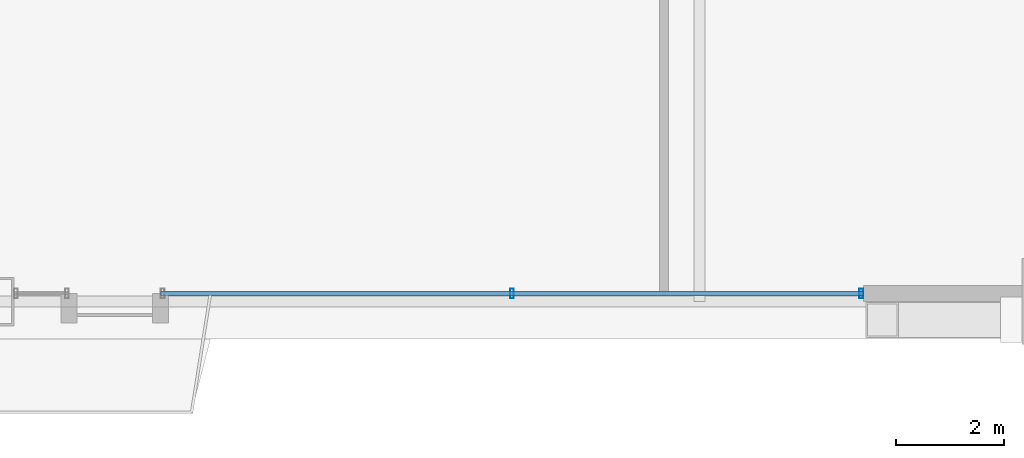
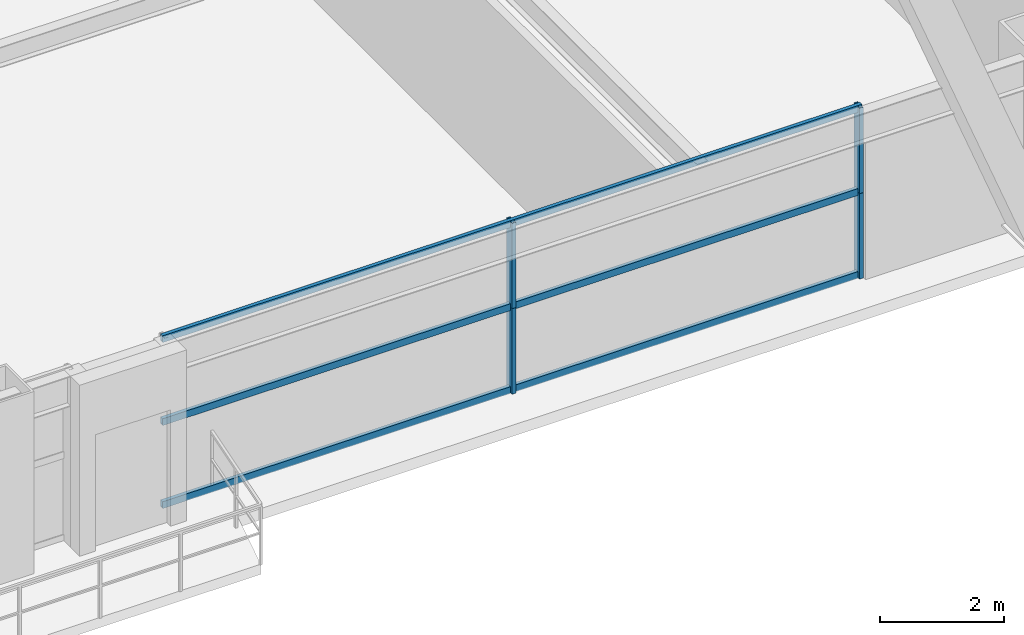
# One storey, part 14 of 41: 7 members, 1 element without a shape of its own.
"""IFC4 building model written with IfcOpenShell, lengths in metres."""

from ifc_helpers import new_model, si_unit, direction, frame, origin, origin_2d, place, context, subcontext, project, spatial, hollow_rectangle, extrude, source, transform, mapped, material, layer, layer_set, material_profile, profile_set, type_object, element, aggregate, save


model = new_model("IFC4")

# Units and contexts
model_context = context("Model", 3, precision=1e-05, world=origin(), true_north=direction((0.0, 1.0)))
body_context = subcontext(model_context, "Body", "Model", "MODEL_VIEW")
ifc_project = project(units=[si_unit("LENGTHUNIT", "METRE"), si_unit("AREAUNIT", "SQUARE_METRE"), si_unit("VOLUMEUNIT", "CUBIC_METRE"), si_unit("PLANEANGLEUNIT", "RADIAN"), si_unit("MASSUNIT", "GRAM", prefix="KILO"), si_unit("THERMODYNAMICTEMPERATUREUNIT", "KELVIN"), si_unit("POWERUNIT", "WATT")], contexts=[model_context])

# Site, building, storey
site_placement = place(None, origin())
site = spatial("IfcSite", under=ifc_project, at=site_placement, CompositionType="ELEMENT")
building_placement = place(site_placement, origin())
building = spatial("IfcBuilding", under=site, at=building_placement, Name="Yuzanri Waterfront Tower", CompositionType="ELEMENT")
storey_placement = place(building_placement, frame((0.0, 0.0, 122.60009765625)))
storey = spatial("IfcBuildingStorey", under=building, at=storey_placement, Name="L32", CompositionType="ELEMENT", Elevation=122.60009765625)

# Curtain wall, members
ifc_material_1 = material(Name="Anodized Architectural Bronze", Category="metal")
ifc_layer = layer(ifc_material_1, 0.159912109375)
ifc_layer_set = layer_set([ifc_layer], Name="Anodized Architectural Bronze")
curtain_wall_type = type_object("IfcCurtainWallType", Name="Anodized Bronze Hotel Upper-Tier Solar-Control Unitized Curtain Wall 7800", PredefinedType="NOTDEFINED", material=ifc_layer_set)
curtain_wall_placement = place(storey_placement, origin())
curtain_wall = element("IfcCurtainWall", 1, at=curtain_wall_placement, inside=storey, type_object=curtain_wall_type, Name="L32 Curtain Wall CW-L32-SR2", PredefinedType="NOTDEFINED")
ifc_material_2 = material(Name="Anodized Architectural Bronze", Category="metal")
ifc_material_profile_1 = material_profile(ifc_material_2, hollow_rectangle(XDim=0.070068359375, YDim=0.179931640625, WallThickness=0.00390625, at=origin_2d()), Name="CWM 70x180")
ifc_profile_set_1 = profile_set([ifc_material_profile_1], Name="Anodized Architectural Bronze")
member_type_1 = type_object("IfcMemberType", Name="Anodized Bronze Standard Curtain-Wall Mullion 70x180", PredefinedType="MULLION", material=ifc_profile_set_1)
shared_shape_1 = source(origin(), body_context, "Body", "SweptSolid", [
    extrude(hollow_rectangle(XDim=0.070068359375, YDim=0.179931640625, WallThickness=0.00390625, at=origin_2d()), origin(), (0.0, 0.0, 1.0), 1.68798828125),
])
member_1_placement = place(storey_placement, frame((46.714599609375, 2.35009765625, 0.0), z_axis=(0.0, 0.0, 1.0), x_axis=(1.0, 0.0, 0.0)))
member_1 = element("IfcMember", 2, at=member_1_placement, type_object=member_type_1, Name="CW-L32-SR2 Lower Mullion 01", PredefinedType="MULLION", context=body_context, shape_type="MappedRepresentation", body=[
    mapped(shared_shape_1, transform((0.0, 0.0, 0.0), scale=1.0)),
])
member_2_placement = place(storey_placement, frame((46.714599609375, 2.35009765625, 1.69189453125), z_axis=(0.0, 0.0, 1.0), x_axis=(1.0, 0.0, 0.0)))
member_2 = element("IfcMember", 3, at=member_2_placement, type_object=member_type_1, Name="CW-L32-SR2 Upper Mullion 01", PredefinedType="MULLION", context=body_context, shape_type="MappedRepresentation", body=[
    mapped(shared_shape_1, transform((0.0, 0.0, 0.0), scale=1.0)),
])
member_3_placement = place(storey_placement, frame((53.2099609375, 2.35009765625, 0.0), z_axis=(0.0, 0.0, 1.0), x_axis=(1.0, 0.0, 0.0)))
member_3 = element("IfcMember", 4, at=member_3_placement, type_object=member_type_1, Name="CW-L32-SR2 Lower Mullion 02", PredefinedType="MULLION", context=body_context, shape_type="MappedRepresentation", body=[
    mapped(shared_shape_1, transform((0.0, 0.0, 0.0), scale=1.0)),
])
member_4_placement = place(storey_placement, frame((53.2099609375, 2.35009765625, 1.69189453125), z_axis=(0.0, 0.0, 1.0), x_axis=(1.0, 0.0, 0.0)))
member_4 = element("IfcMember", 5, at=member_4_placement, type_object=member_type_1, Name="CW-L32-SR2 Upper Mullion 02", PredefinedType="MULLION", context=body_context, shape_type="MappedRepresentation", body=[
    mapped(shared_shape_1, transform((0.0, 0.0, 0.0), scale=1.0)),
])
ifc_material_3 = material(Name="Anodized Architectural Bronze", Category="metal")
ifc_material_profile_2 = material_profile(ifc_material_3, hollow_rectangle(XDim=0.070068359375, YDim=0.135009765625, WallThickness=0.00341796875, at=origin_2d()), Name="CWT 70x135")
ifc_profile_set_2 = profile_set([ifc_material_profile_2], Name="Anodized Architectural Bronze")
member_type_2 = type_object("IfcMemberType", Name="Anodized Bronze Standard Curtain-Wall Transom 70x135", PredefinedType="USERDEFINED", material=ifc_profile_set_2)
shared_shape_2 = source(origin(), body_context, "Body", "SweptSolid", [
    extrude(hollow_rectangle(XDim=0.070068359375, YDim=0.135009765625, WallThickness=0.00341796875, at=origin_2d()), origin(), (0.0, 0.0, 1.0), 13.071044921875),
])
member_5_placement = place(storey_placement, frame((40.178955078125, 2.35009765625, 0.0498046875), z_axis=(1.0, 0.0, 0.0), x_axis=(0.0, 1.0, 0.0)))
member_5 = element("IfcMember", 6, at=member_5_placement, type_object=member_type_2, Name="CW-L32-SR2 Transom 1", ObjectType="TRANSOM", PredefinedType="USERDEFINED", context=body_context, shape_type="MappedRepresentation", body=[
    mapped(shared_shape_2, transform((0.0, 0.0, 0.0), scale=1.0)),
])
member_6_placement = place(storey_placement, frame((40.178955078125, 2.35009765625, 1.68994140625), z_axis=(1.0, 0.0, 0.0), x_axis=(0.0, 1.0, 0.0)))
member_6 = element("IfcMember", 7, at=member_6_placement, type_object=member_type_2, Name="CW-L32-SR2 Transom 2", ObjectType="TRANSOM", PredefinedType="USERDEFINED", context=body_context, shape_type="MappedRepresentation", body=[
    mapped(shared_shape_2, transform((0.0, 0.0, 0.0), scale=1.0)),
])
member_7_placement = place(storey_placement, frame((40.178955078125, 2.35009765625, 3.329833984375), z_axis=(1.0, 0.0, 0.0), x_axis=(0.0, 1.0, 0.0)))
member_7 = element("IfcMember", 8, at=member_7_placement, type_object=member_type_2, Name="CW-L32-SR2 Transom 3", ObjectType="TRANSOM", PredefinedType="USERDEFINED", context=body_context, shape_type="MappedRepresentation", body=[
    mapped(shared_shape_2, transform((0.0, 0.0, 0.0), scale=1.0)),
])
aggregate(curtain_wall, [member_1, member_2, member_3, member_4, member_5, member_6, member_7])

save(model, "model.ifc")
